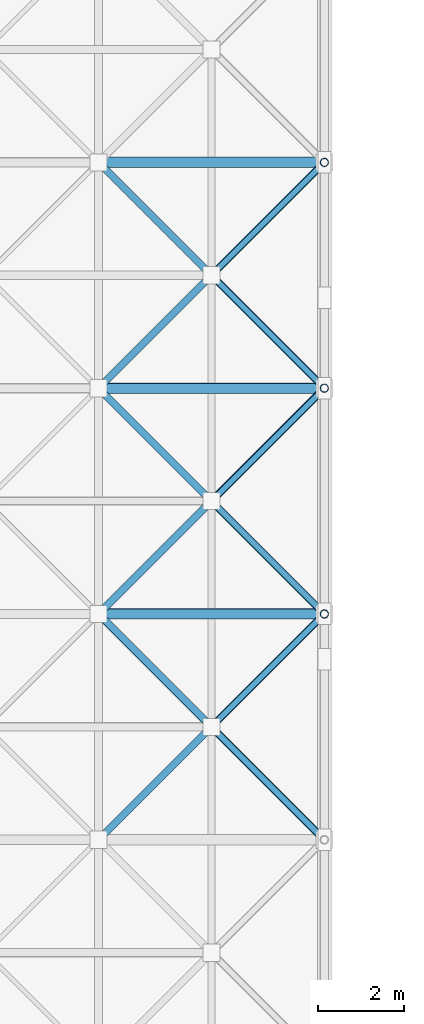
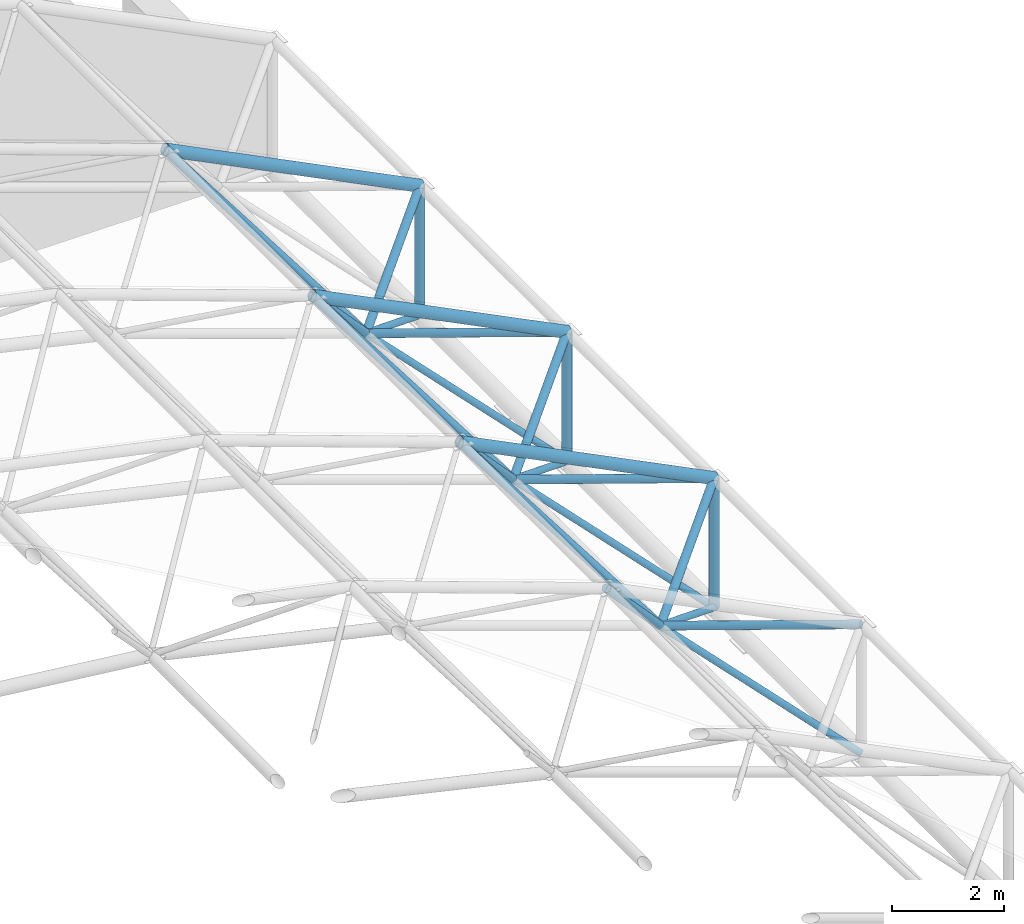
# One storey, part 25 of 100: 24 members.
"""IFC4 building model written with IfcOpenShell, lengths in metres."""

from ifc_helpers import new_model, si_unit, direction, frame, origin, origin_2d, place, context, subcontext, project, spatial, hollow_circle, extrude, material, material_profile, profile_set, type_object, element, save


model = new_model("IFC4")

# Units and contexts
model_context = context("Model", 3, precision=1e-05, world=origin(), true_north=direction((0.0, 1.0)))
body_context = subcontext(model_context, "Body", "Model", "MODEL_VIEW")
ifc_project = project(units=[si_unit("LENGTHUNIT", "METRE"), si_unit("AREAUNIT", "SQUARE_METRE"), si_unit("VOLUMEUNIT", "CUBIC_METRE"), si_unit("PLANEANGLEUNIT", "RADIAN"), si_unit("MASSUNIT", "GRAM", prefix="KILO")], contexts=[model_context])

# Site, building, storey
site_placement = place(None, origin())
site = spatial("IfcSite", under=ifc_project, at=site_placement, CompositionType="ELEMENT")
building_placement = place(site_placement, origin())
building = spatial("IfcBuilding", under=site, at=building_placement, Name="Kiln Court Media Centre", CompositionType="ELEMENT")
storey_placement = place(building_placement, frame((0.0, 0.0, 15.0)))
storey = spatial("IfcBuildingStorey", under=building, at=storey_placement, Name="L03", CompositionType="ELEMENT", Elevation=15.0)

# Members
ifc_material_1 = material(Name="Steel ASTM A500 Gr C", Category="steel")
ifc_material_profile_1 = material_profile(ifc_material_1, hollow_circle(Radius=0.06982421875, WallThickness=0.0048828125, at=origin_2d()), Name="CHS 139.7x5.0")
ifc_profile_set_1 = profile_set([ifc_material_profile_1], Name="Steel ASTM A500 Gr C")
member_type_1 = type_object("IfcMemberType", Name="Steel ASTM A500 Gr C CHS 139.7x5.0 space frame brace", PredefinedType="BRACE", material=ifc_profile_set_1)
for number, where, z_axis, x_axis, name in (
    (1, (100.800048828125, 46.199951171875, 0.18994140625), (-0.614895163376, 0.614895163376, 0.493769051394), (-0.707106781187, -0.707106781187, 0.0), "V1 roof bearing tie last 5 space frame brace"),
    (2, (100.800048828125, 51.449951171875, 0.18994140625), (-0.614895163376, -0.614895163376, 0.493769051394), (0.707106781187, -0.707106781187, 0.0), "V1 roof bearing tie last 6 space frame brace"),
    (3, (100.800048828125, 51.449951171875, 0.18994140625), (-0.614895163376, 0.614895163376, 0.493769051394), (-0.707106781187, -0.707106781187, 0.0), "V1 roof bearing tie last 6 space frame brace"),
    (4, (100.800048828125, 56.699951171875, 0.18994140625), (-0.614895163376, -0.614895163376, 0.493769051394), (0.707106781187, -0.707106781187, 0.0), "V1 roof bearing tie last 7 space frame brace"),
    (5, (100.800048828125, 56.699951171875, 0.18994140625), (-0.614895163376, 0.614895163376, 0.493769051394), (-0.707106781187, -0.707106781187, 0.0), "V1 roof bearing tie last 7 space frame brace"),
    (6, (100.800048828125, 61.949951171875, 0.18994140625), (-0.614895163376, -0.614895163376, 0.493769051394), (0.707106781187, -0.707106781187, 0.0), "V1 roof bearing tie last 8 space frame brace"),
):
    element("IfcMember", number, at=place(storey_placement, frame(where, z_axis=z_axis, x_axis=x_axis)), inside=storey, type_object=member_type_1, Name=name, PredefinedType="BRACE", context=body_context, shape_type="SweptSolid", body=[
        extrude(hollow_circle(Radius=0.06982421875, WallThickness=0.0048828125, at=origin_2d()), origin(), (0.0, 0.0, 1.0), 4.26904296875),
    ])
ifc_material_2 = material(Name="Steel ASTM A500 Gr C", Category="steel")
ifc_material_profile_2 = material_profile(ifc_material_2, hollow_circle(Radius=0.084228515625, WallThickness=0.00634765625, at=origin_2d()), Name="CHS 168.3x6.3")
ifc_profile_set_2 = profile_set([ifc_material_profile_2], Name="Steel ASTM A500 Gr C")
member_type_2 = type_object("IfcMemberType", Name="Steel ASTM A500 Gr C CHS 168.3x6.3 space frame brace", PredefinedType="BRACE", material=ifc_profile_set_2)
member_1_placement = place(storey_placement, frame((98.175048828125, 48.824951171875, 2.2978515625), z_axis=(-0.526569761857, -0.526569761857, 0.667419337295), x_axis=(0.707106781187, -0.707106781187, 0.0)))
element("IfcMember", 7, at=member_1_placement, inside=storey, type_object=member_type_2, Name="V1 roof diagonal 8-5 space frame brace", PredefinedType="BRACE", context=body_context, shape_type="SweptSolid", body=[
    extrude(hollow_circle(Radius=0.084228515625, WallThickness=0.00634765625, at=origin_2d()), origin(), (0.0, 0.0, 1.0), 4.985107421875),
])
member_2_placement = place(storey_placement, frame((98.175048828125, 48.824951171875, 2.2978515625), z_axis=(0.694788256549, -0.694788256549, 0.185845519516), x_axis=(0.707106781187, 0.707106781187, 0.0)))
element("IfcMember", 8, at=member_2_placement, inside=storey, type_object=member_type_2, Name="V1 roof diagonal 8-5 space frame brace", PredefinedType="BRACE", context=body_context, shape_type="SweptSolid", body=[
    extrude(hollow_circle(Radius=0.084228515625, WallThickness=0.00634765625, at=origin_2d()), origin(), (0.0, 0.0, 1.0), 3.778076171875),
])
member_3_placement = place(storey_placement, frame((98.175048828125, 48.824951171875, 2.2978515625), z_axis=(-0.526569761857, 0.526569761857, 0.667419337295), x_axis=(-0.707106781187, -0.707106781187, 0.0)))
element("IfcMember", 9, at=member_3_placement, inside=storey, type_object=member_type_2, Name="V1 roof diagonal 8-5 space frame brace", PredefinedType="BRACE", context=body_context, shape_type="SweptSolid", body=[
    extrude(hollow_circle(Radius=0.084228515625, WallThickness=0.00634765625, at=origin_2d()), origin(), (0.0, 0.0, 1.0), 4.985107421875),
])
member_4_placement = place(storey_placement, frame((98.175048828125, 48.824951171875, 2.2978515625), z_axis=(0.694788256549, 0.694788256549, 0.185845519516), x_axis=(-0.707106781187, 0.707106781187, 0.0)))
element("IfcMember", 10, at=member_4_placement, inside=storey, type_object=member_type_2, Name="V1 roof diagonal 8-5 space frame brace", PredefinedType="BRACE", context=body_context, shape_type="SweptSolid", body=[
    extrude(hollow_circle(Radius=0.084228515625, WallThickness=0.00634765625, at=origin_2d()), origin(), (0.0, 0.0, 1.0), 3.778076171875),
])
member_5_placement = place(storey_placement, frame((98.175048828125, 54.074951171875, 2.2978515625), z_axis=(-0.526569761857, -0.526569761857, 0.667419337295), x_axis=(0.707106781187, -0.707106781187, 0.0)))
element("IfcMember", 11, at=member_5_placement, inside=storey, type_object=member_type_2, Name="V1 roof diagonal 8-6 space frame brace", PredefinedType="BRACE", context=body_context, shape_type="SweptSolid", body=[
    extrude(hollow_circle(Radius=0.084228515625, WallThickness=0.00634765625, at=origin_2d()), origin(), (0.0, 0.0, 1.0), 4.985107421875),
])
member_6_placement = place(storey_placement, frame((98.175048828125, 54.074951171875, 2.2978515625), z_axis=(0.694788256549, -0.694788256549, 0.185845519516), x_axis=(0.707106781187, 0.707106781187, 0.0)))
element("IfcMember", 12, at=member_6_placement, inside=storey, type_object=member_type_2, Name="V1 roof diagonal 8-6 space frame brace", PredefinedType="BRACE", context=body_context, shape_type="SweptSolid", body=[
    extrude(hollow_circle(Radius=0.084228515625, WallThickness=0.00634765625, at=origin_2d()), origin(), (0.0, 0.0, 1.0), 3.778076171875),
])
member_7_placement = place(storey_placement, frame((98.175048828125, 54.074951171875, 2.2978515625), z_axis=(-0.526569761857, 0.526569761857, 0.667419337295), x_axis=(-0.707106781187, -0.707106781187, 0.0)))
element("IfcMember", 13, at=member_7_placement, inside=storey, type_object=member_type_2, Name="V1 roof diagonal 8-6 space frame brace", PredefinedType="BRACE", context=body_context, shape_type="SweptSolid", body=[
    extrude(hollow_circle(Radius=0.084228515625, WallThickness=0.00634765625, at=origin_2d()), origin(), (0.0, 0.0, 1.0), 4.985107421875),
])
member_8_placement = place(storey_placement, frame((98.175048828125, 54.074951171875, 2.2978515625), z_axis=(0.694788256549, 0.694788256549, 0.185845519516), x_axis=(-0.707106781187, 0.707106781187, 0.0)))
element("IfcMember", 14, at=member_8_placement, inside=storey, type_object=member_type_2, Name="V1 roof diagonal 8-6 space frame brace", PredefinedType="BRACE", context=body_context, shape_type="SweptSolid", body=[
    extrude(hollow_circle(Radius=0.084228515625, WallThickness=0.00634765625, at=origin_2d()), origin(), (0.0, 0.0, 1.0), 3.778076171875),
])
member_9_placement = place(storey_placement, frame((98.175048828125, 59.324951171875, 2.2978515625), z_axis=(-0.526569761857, -0.526569761857, 0.667419337295), x_axis=(0.707106781187, -0.707106781187, 0.0)))
element("IfcMember", 15, at=member_9_placement, inside=storey, type_object=member_type_2, Name="V1 roof diagonal 8-7 space frame brace", PredefinedType="BRACE", context=body_context, shape_type="SweptSolid", body=[
    extrude(hollow_circle(Radius=0.084228515625, WallThickness=0.00634765625, at=origin_2d()), origin(), (0.0, 0.0, 1.0), 4.985107421875),
])
member_10_placement = place(storey_placement, frame((98.175048828125, 59.324951171875, 2.2978515625), z_axis=(0.694788256549, -0.694788256549, 0.185845519516), x_axis=(0.707106781187, 0.707106781187, 0.0)))
element("IfcMember", 16, at=member_10_placement, inside=storey, type_object=member_type_2, Name="V1 roof diagonal 8-7 space frame brace", PredefinedType="BRACE", context=body_context, shape_type="SweptSolid", body=[
    extrude(hollow_circle(Radius=0.084228515625, WallThickness=0.00634765625, at=origin_2d()), origin(), (0.0, 0.0, 1.0), 3.778076171875),
])
member_11_placement = place(storey_placement, frame((98.175048828125, 59.324951171875, 2.2978515625), z_axis=(-0.526569761857, 0.526569761857, 0.667419337295), x_axis=(-0.707106781187, -0.707106781187, 0.0)))
element("IfcMember", 17, at=member_11_placement, inside=storey, type_object=member_type_2, Name="V1 roof diagonal 8-7 space frame brace", PredefinedType="BRACE", context=body_context, shape_type="SweptSolid", body=[
    extrude(hollow_circle(Radius=0.084228515625, WallThickness=0.00634765625, at=origin_2d()), origin(), (0.0, 0.0, 1.0), 4.985107421875),
])
member_12_placement = place(storey_placement, frame((98.175048828125, 59.324951171875, 2.2978515625), z_axis=(0.694788256549, 0.694788256549, 0.185845519516), x_axis=(-0.707106781187, 0.707106781187, 0.0)))
element("IfcMember", 18, at=member_12_placement, inside=storey, type_object=member_type_2, Name="V1 roof diagonal 8-7 space frame brace", PredefinedType="BRACE", context=body_context, shape_type="SweptSolid", body=[
    extrude(hollow_circle(Radius=0.084228515625, WallThickness=0.00634765625, at=origin_2d()), origin(), (0.0, 0.0, 1.0), 3.778076171875),
])
ifc_material_3 = material(Name="Steel ASTM A500 Gr C", Category="steel")
ifc_material_profile_3 = material_profile(ifc_material_3, hollow_circle(Radius=0.096923828125, WallThickness=0.008056640625, at=origin_2d()), Name="CHS 193.7x8.0")
ifc_profile_set_3 = profile_set([ifc_material_profile_3], Name="Steel ASTM A500 Gr C")
member_type_3 = type_object("IfcMemberType", Name="Steel ASTM A500 Gr C CHS 193.7x8.0 space frame strut", PredefinedType="STRUT", material=ifc_profile_set_3)
for number, where, z_axis, x_axis, name in (
    (19, (100.800048828125, 51.449951171875, 0.18994140625), (0.0, 0.0, 1.0), (1.0, 0.0, 0.0), "V1 roof bearing post last 6 space frame strut"),
    (20, (100.800048828125, 56.699951171875, 0.18994140625), (0.0, 0.0, 1.0), (1.0, 0.0, 0.0), "V1 roof bearing post last 7 space frame strut"),
    (21, (100.800048828125, 61.949951171875, 0.18994140625), (0.0, 0.0, 1.0), (1.0, 0.0, 0.0), "V1 roof bearing post last 8 space frame strut"),
):
    element("IfcMember", number, at=place(storey_placement, frame(where, z_axis=z_axis, x_axis=x_axis)), inside=storey, type_object=member_type_3, Name=name, PredefinedType="STRUT", context=body_context, shape_type="SweptSolid", body=[
        extrude(hollow_circle(Radius=0.096923828125, WallThickness=0.008056640625, at=origin_2d()), origin(), (0.0, 0.0, 1.0), 2.81005859375),
    ])
ifc_material_4 = material(Name="Steel ASTM A500 Gr C", Category="steel")
ifc_material_profile_4 = material_profile(ifc_material_4, hollow_circle(Radius=0.122314453125, WallThickness=0.010009765625, at=origin_2d()), Name="CHS 244.5x10.0")
ifc_profile_set_4 = profile_set([ifc_material_profile_4], Name="Steel ASTM A500 Gr C")
member_type_4 = type_object("IfcMemberType", Name="Steel ASTM A500 Gr C CHS 244.5x10.0 space frame chord", PredefinedType="CHORD", material=ifc_profile_set_4)
for number, where, z_axis, x_axis, name in (
    (22, (95.550048828125, 51.449951171875, 5.625), (0.894427191, 0.0, -0.4472135955), (0.0, 1.0, 0.0), "V1 roof top chord across line 6 space frame chord"),
    (23, (95.550048828125, 56.699951171875, 5.625), (0.894427191, 0.0, -0.4472135955), (0.0, 1.0, 0.0), "V1 roof top chord across line 7 space frame chord"),
    (24, (95.550048828125, 61.949951171875, 5.625), (0.894427191, 0.0, -0.4472135955), (0.0, 1.0, 0.0), "V1 roof top chord across line 8 space frame chord"),
):
    element("IfcMember", number, at=place(storey_placement, frame(where, z_axis=z_axis, x_axis=x_axis)), inside=storey, type_object=member_type_4, Name=name, PredefinedType="CHORD", context=body_context, shape_type="SweptSolid", body=[
        extrude(hollow_circle(Radius=0.122314453125, WallThickness=0.010009765625, at=origin_2d()), origin(), (0.0, 0.0, 1.0), 5.86962890625),
    ])

save(model, "model.ifc")
